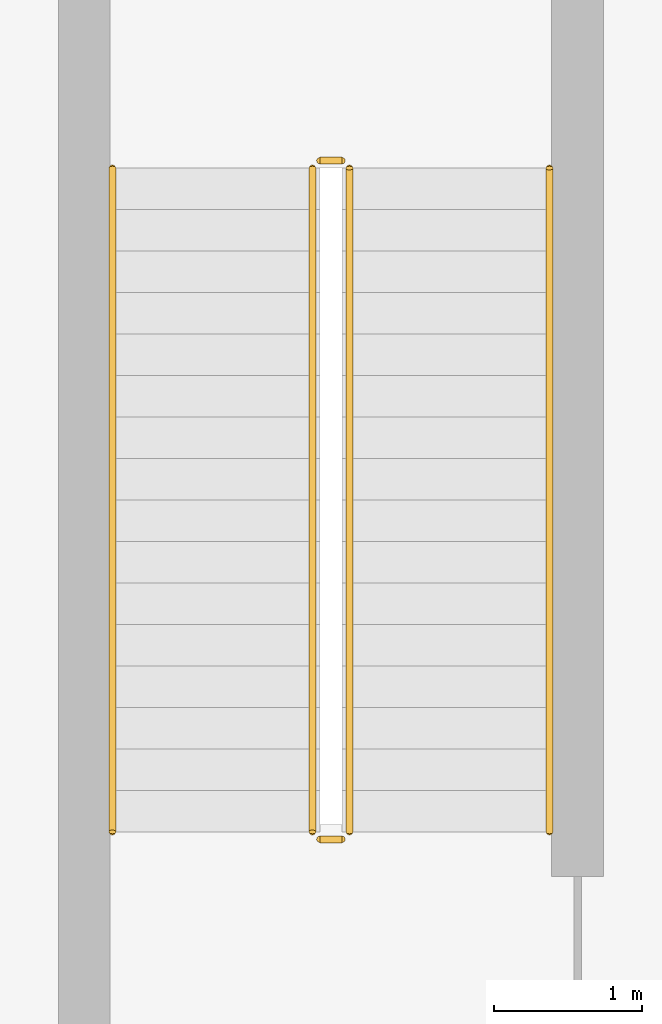
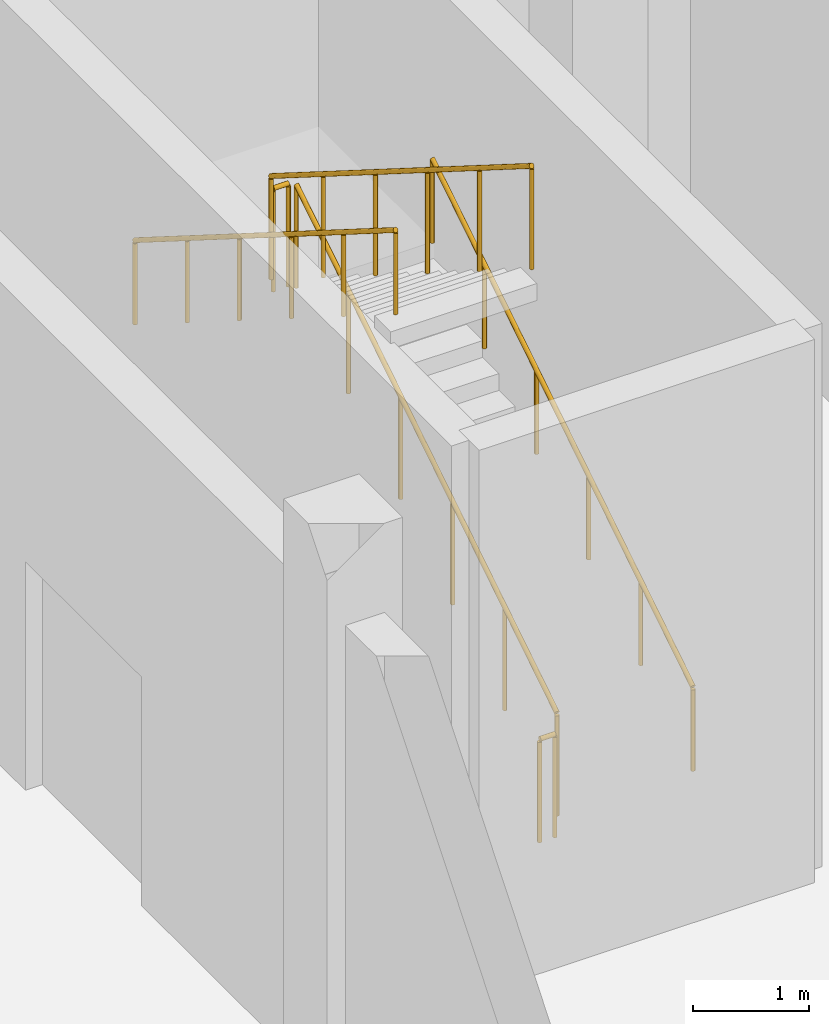
# One storey, part 142 of 144: 6 railings.
"""IFC4 building model written with IfcOpenShell, lengths in metres."""

from ifc_helpers import new_model, si_unit, direction, frame, origin, origin_2d, place, context, subcontext, project, spatial, circle, extrude, material, type_object, element, save


model = new_model("IFC4")

# Units and contexts
model_context = context("Model", 3, precision=1e-05, world=origin(), true_north=direction((0.0, 1.0)))
body_context = subcontext(model_context, "Body", "Model", "MODEL_VIEW")
ifc_project = project(units=[si_unit("LENGTHUNIT", "METRE"), si_unit("AREAUNIT", "SQUARE_METRE"), si_unit("VOLUMEUNIT", "CUBIC_METRE"), si_unit("PLANEANGLEUNIT", "RADIAN"), si_unit("MASSUNIT", "GRAM", prefix="KILO")], contexts=[model_context])

# Site, building, storey
site_placement = place(None, origin())
site = spatial("IfcSite", under=ifc_project, at=site_placement, CompositionType="ELEMENT")
building_placement = place(site_placement, origin())
building = spatial("IfcBuilding", under=site, at=building_placement, Name="Sundgate Opera House", CompositionType="ELEMENT")
storey_placement = place(building_placement, origin())
storey = spatial("IfcBuildingStorey", under=building, at=storey_placement, Name="L00", CompositionType="ELEMENT", Elevation=0.0)

# Railings
ifc_material_1 = material(Name="Painted steel S275 guardrail", Category="steel")
railing_type_1 = type_object("IfcRailingType", Name="RL-STAIR-GUARD-1100", PredefinedType="GUARDRAIL", material=ifc_material_1)
railing_1_placement = place(storey_placement, frame((98.85009765625, 89.300048828125, 0.176513671875)))
element("IfcRailing", 1, at=railing_1_placement, inside=storey, type_object=railing_type_1, Name="ST05L00 Guardrail RL0182", PredefinedType="GUARDRAIL", context=body_context, shape_type="SweptSolid", body=[
    extrude(circle(Radius=0.02392578125, at=origin_2d()), frame((0.0, 0.0, 1.076171875), z_axis=(0.0, 0.845997938375, 0.533186166611), x_axis=(-1.0, 0.0, 0.0)), (0.0, 0.0, 1.0), 5.29541015625),
    extrude(circle(Radius=0.02099609375, at=origin_2d()), origin(), (0.0, 0.0, 1.0), 1.052001953125),
    extrude(circle(Radius=0.02099609375, at=origin_2d()), frame((0.0, 0.89599609375, 0.564697265625)), (0.0, 0.0, 1.0), 1.052001953125),
    extrude(circle(Radius=0.02099609375, at=origin_2d()), frame((0.0, 1.7919921875, 1.12939453125)), (0.0, 0.0, 1.0), 1.052001953125),
    extrude(circle(Radius=0.02099609375, at=origin_2d()), frame((0.0, 2.68798828125, 1.694091796875)), (0.0, 0.0, 1.0), 1.052001953125),
    extrude(circle(Radius=0.02099609375, at=origin_2d()), frame((0.0, 3.583984375, 2.2587890625)), (0.0, 0.0, 1.0), 1.052001953125),
    extrude(circle(Radius=0.02099609375, at=origin_2d()), frame((0.0, 4.47998046875, 2.823486328125)), (0.0, 0.0, 1.0), 1.052001953125),
])
railing_2_placement = place(storey_placement, frame((98.800048828125, 93.830078125, 3.0)))
element("IfcRailing", 2, at=railing_2_placement, inside=storey, type_object=railing_type_1, Name="ST05L00 Guardrail RL0183", PredefinedType="GUARDRAIL", context=body_context, shape_type="SweptSolid", body=[
    extrude(circle(Radius=0.02392578125, at=origin_2d()), frame((0.0, 0.0, 1.076171875), z_axis=(-1.0, 0.0, 0.0), x_axis=(0.0, -1.0, 0.0)), (0.0, 0.0, 1.0), 0.150146484375),
    extrude(circle(Radius=0.02099609375, at=origin_2d()), origin(), (0.0, 0.0, 1.0), 1.052001953125),
    extrude(circle(Radius=0.02099609375, at=origin_2d()), frame((-0.150146484375, 0.0, 0.0)), (0.0, 0.0, 1.0), 1.052001953125),
])
railing_3_placement = place(storey_placement, frame((98.60009765625, 93.780029296875, 3.176513671875)))
element("IfcRailing", 3, at=railing_3_placement, inside=storey, type_object=railing_type_1, Name="ST05L00 Guardrail RL0184", PredefinedType="GUARDRAIL", context=body_context, shape_type="SweptSolid", body=[
    extrude(circle(Radius=0.02392578125, at=origin_2d()), frame((0.0, 0.0, 1.076171875), z_axis=(0.0, -0.845997938375, 0.533186166611), x_axis=(1.0, 0.0, 0.0)), (0.0, 0.0, 1.0), 5.29541015625),
    extrude(circle(Radius=0.02099609375, at=origin_2d()), origin(), (0.0, 0.0, 1.0), 1.052001953125),
    extrude(circle(Radius=0.02099609375, at=origin_2d()), frame((0.0, -0.89599609375, 0.564697265625)), (0.0, 0.0, 1.0), 1.052001953125),
    extrude(circle(Radius=0.02099609375, at=origin_2d()), frame((0.0, -1.7919921875, 1.12939453125)), (0.0, 0.0, 1.0), 1.052001953125),
    extrude(circle(Radius=0.02099609375, at=origin_2d()), frame((0.0, -2.68798828125, 1.694091796875)), (0.0, 0.0, 1.0), 1.052001953125),
    extrude(circle(Radius=0.02099609375, at=origin_2d()), frame((0.0, -3.583984375, 2.2587890625)), (0.0, 0.0, 1.0), 1.052001953125),
    extrude(circle(Radius=0.02099609375, at=origin_2d()), frame((0.0, -4.47998046875, 2.823486328125)), (0.0, 0.0, 1.0), 1.052001953125),
])
railing_4_placement = place(storey_placement, frame((98.800048828125, 89.25, 0.0)))
element("IfcRailing", 4, at=railing_4_placement, inside=storey, type_object=railing_type_1, Name="ST05L00 Guardrail RL0185", PredefinedType="GUARDRAIL", context=body_context, shape_type="SweptSolid", body=[
    extrude(circle(Radius=0.02392578125, at=origin_2d()), frame((0.0, 0.0, 1.076171875), z_axis=(-1.0, 0.0, 0.0), x_axis=(0.0, -1.0, 0.0)), (0.0, 0.0, 1.0), 0.150146484375),
    extrude(circle(Radius=0.02099609375, at=origin_2d()), origin(), (0.0, 0.0, 1.0), 1.052001953125),
    extrude(circle(Radius=0.02099609375, at=origin_2d()), frame((-0.150146484375, 0.0, 0.0)), (0.0, 0.0, 1.0), 1.052001953125),
])
ifc_material_2 = material(Name="Brushed stainless steel handrail", Category="steel")
railing_type_2 = type_object("IfcRailingType", Name="RL-STAIR-HAND-900", PredefinedType="HANDRAIL", material=ifc_material_2)
railing_5_placement = place(storey_placement, frame((100.199951171875, 89.300048828125, 0.176513671875)))
element("IfcRailing", 5, at=railing_5_placement, inside=storey, type_object=railing_type_2, Name="ST05L00 Handrail RL0186", PredefinedType="HANDRAIL", context=body_context, shape_type="SweptSolid", body=[
    extrude(circle(Radius=0.02392578125, at=origin_2d()), frame((0.0, 0.0, 0.8759765625), z_axis=(0.0, 0.845997938375, 0.533186166611), x_axis=(-1.0, 0.0, 0.0)), (0.0, 0.0, 1.0), 5.29541015625),
    extrude(circle(Radius=0.02099609375, at=origin_2d()), origin(), (0.0, 0.0, 1.0), 0.851806640625),
    extrude(circle(Radius=0.02099609375, at=origin_2d()), frame((0.0, 0.89599609375, 0.564697265625)), (0.0, 0.0, 1.0), 0.851806640625),
    extrude(circle(Radius=0.02099609375, at=origin_2d()), frame((0.0, 1.7919921875, 1.12939453125)), (0.0, 0.0, 1.0), 0.851806640625),
    extrude(circle(Radius=0.02099609375, at=origin_2d()), frame((0.0, 2.68798828125, 1.694091796875)), (0.0, 0.0, 1.0), 0.851806640625),
    extrude(circle(Radius=0.02099609375, at=origin_2d()), frame((0.0, 3.583984375, 2.2587890625)), (0.0, 0.0, 1.0), 0.851806640625),
    extrude(circle(Radius=0.02099609375, at=origin_2d()), frame((0.0, 4.47998046875, 2.823486328125)), (0.0, 0.0, 1.0), 0.851806640625),
])
railing_6_placement = place(storey_placement, frame((97.25, 93.780029296875, 3.176513671875)))
element("IfcRailing", 6, at=railing_6_placement, inside=storey, type_object=railing_type_2, Name="ST05L00 Handrail RL0187", PredefinedType="HANDRAIL", context=body_context, shape_type="SweptSolid", body=[
    extrude(circle(Radius=0.02392578125, at=origin_2d()), frame((0.0, 0.0, 0.8759765625), z_axis=(0.0, -0.845997938375, 0.533186166611), x_axis=(1.0, 0.0, 0.0)), (0.0, 0.0, 1.0), 5.29541015625),
    extrude(circle(Radius=0.02099609375, at=origin_2d()), origin(), (0.0, 0.0, 1.0), 0.851806640625),
    extrude(circle(Radius=0.02099609375, at=origin_2d()), frame((0.0, -0.89599609375, 0.564697265625)), (0.0, 0.0, 1.0), 0.851806640625),
    extrude(circle(Radius=0.02099609375, at=origin_2d()), frame((0.0, -1.7919921875, 1.12939453125)), (0.0, 0.0, 1.0), 0.851806640625),
    extrude(circle(Radius=0.02099609375, at=origin_2d()), frame((0.0, -2.68798828125, 1.694091796875)), (0.0, 0.0, 1.0), 0.851806640625),
    extrude(circle(Radius=0.02099609375, at=origin_2d()), frame((0.0, -3.583984375, 2.2587890625)), (0.0, 0.0, 1.0), 0.851806640625),
    extrude(circle(Radius=0.02099609375, at=origin_2d()), frame((0.0, -4.47998046875, 2.823486328125)), (0.0, 0.0, 1.0), 0.851806640625),
])

save(model, "model.ifc")
